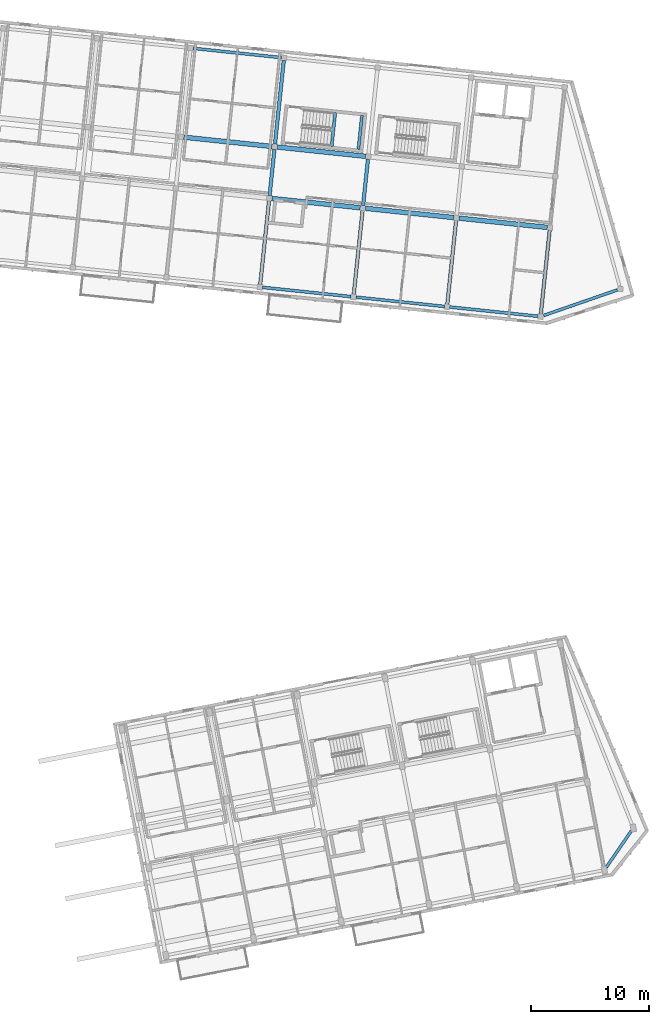
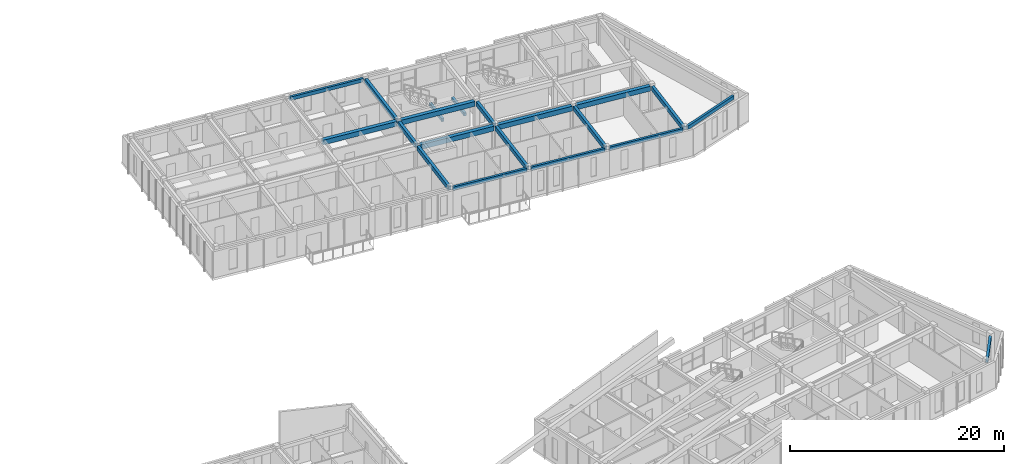
# One storey, part 13 of 64: 20 beams.
"""IFC4 building model written with IfcOpenShell, lengths in metres."""

from ifc_helpers import new_model, si_unit, direction, frame, origin, origin_2d, place, context, subcontext, project, spatial, rectangle, extrude, material, material_profile, profile_set, type_object, element, save


model = new_model("IFC4")

# Units and contexts
model_context = context("Model", 3, precision=1e-05, world=origin(), true_north=direction((0.0, 1.0)))
body_context = subcontext(model_context, "Body", "Model", "MODEL_VIEW")
ifc_project = project(units=[si_unit("LENGTHUNIT", "METRE"), si_unit("AREAUNIT", "SQUARE_METRE"), si_unit("VOLUMEUNIT", "CUBIC_METRE"), si_unit("PLANEANGLEUNIT", "RADIAN"), si_unit("MASSUNIT", "GRAM", prefix="KILO")], contexts=[model_context])

# Site, building, storey
site_placement = place(None, origin())
site = spatial("IfcSite", under=ifc_project, at=site_placement, CompositionType="ELEMENT")
building_placement = place(site_placement, origin())
building = spatial("IfcBuilding", under=site, at=building_placement, Name="Kestramere Prow Commons", CompositionType="ELEMENT")
storey_placement = place(building_placement, frame((0.0, 0.0, 24.64990234375)))
storey = spatial("IfcBuildingStorey", under=building, at=storey_placement, Name="L07", CompositionType="ELEMENT", Elevation=24.64990234375)

# Beams
ifc_material_1 = material(Name="Precast concrete C40/50", Category="concrete")
ifc_material_profile_1 = material_profile(ifc_material_1, rectangle(XDim=0.39990234375, YDim=0.550048828125, at=origin_2d()), Name="PC-BM 400x550")
ifc_profile_set_1 = profile_set([ifc_material_profile_1], Name="Precast concrete C40/50")
beam_type_1 = type_object("IfcBeamType", Name="BM-B1 PC-BM 400x550", PredefinedType="BEAM", material=ifc_profile_set_1)
beam_1_placement = place(storey_placement, frame((134.88671875, 99.826171875, 2.72509765625), z_axis=(0.994520149735, -0.104545070528, 0.0), x_axis=(0.104545070528, 0.994520149735, 0.0)))
element("IfcBeam", 1, at=beam_1_placement, inside=storey, type_object=beam_type_1, Name="Block B L07 Longitudinal Beam 2-4", PredefinedType="BEAM", context=body_context, shape_type="SweptSolid", body=[
    extrude(rectangle(XDim=0.39990234375, YDim=0.550048828125, at=origin_2d()), origin(), (0.0, 0.0, 1.0), 7.5498046875),
])
beam_2_placement = place(storey_placement, frame((142.8427734375, 98.989990234375, 2.72509765625), z_axis=(0.994520503149, -0.104541708502, 0.0), x_axis=(0.104541708502, 0.994520503149, 0.0)))
element("IfcBeam", 2, at=beam_2_placement, inside=storey, type_object=beam_type_1, Name="Block B L07 Longitudinal Beam 2-5", PredefinedType="BEAM", context=body_context, shape_type="SweptSolid", body=[
    extrude(rectangle(XDim=0.39990234375, YDim=0.550048828125, at=origin_2d()), origin(), (0.0, 0.0, 1.0), 7.550048828125),
])
beam_3_placement = place(storey_placement, frame((150.799072265625, 98.15380859375, 2.72509765625), z_axis=(0.994520149735, -0.104545070528, 0.0), x_axis=(0.104545070528, 0.994520149735, 0.0)))
element("IfcBeam", 3, at=beam_3_placement, inside=storey, type_object=beam_type_1, Name="Block B L07 Longitudinal Beam 2-6", PredefinedType="BEAM", context=body_context, shape_type="SweptSolid", body=[
    extrude(rectangle(XDim=0.39990234375, YDim=0.550048828125, at=origin_2d()), origin(), (0.0, 0.0, 1.0), 7.5498046875),
])
beam_4_placement = place(storey_placement, frame((127.390380859375, 105.038330078125, 2.72509765625), z_axis=(0.994520503149, -0.104541708502, 0.0), x_axis=(0.104541708502, 0.994520503149, 0.0)))
element("IfcBeam", 4, at=beam_4_placement, inside=storey, type_object=beam_type_1, Name="Block B L07 Longitudinal Beam 3-3", PredefinedType="BEAM", context=body_context, shape_type="SweptSolid", body=[
    extrude(rectangle(XDim=0.39990234375, YDim=0.550048828125, at=origin_2d()), origin(), (0.0, 0.0, 1.0), 7.550048828125),
])
beam_5_placement = place(storey_placement, frame((135.3466796875, 104.2021484375, 2.72509765625), z_axis=(0.994520149735, -0.104545070528, 0.0), x_axis=(0.104545070528, 0.994520149735, 0.0)))
element("IfcBeam", 5, at=beam_5_placement, inside=storey, type_object=beam_type_1, Name="Block B L07 Longitudinal Beam 3-4", PredefinedType="BEAM", context=body_context, shape_type="SweptSolid", body=[
    extrude(rectangle(XDim=0.39990234375, YDim=0.550048828125, at=origin_2d()), origin(), (0.0, 0.0, 1.0), 7.5498046875),
])
ifc_material_2 = material(Name="Concrete C40/50", Category="concrete")
ifc_material_profile_2 = material_profile(ifc_material_2, rectangle(XDim=0.25, YDim=0.35009765625, at=origin_2d()), Name="PC-BM 250x350")
ifc_profile_set_2 = profile_set([ifc_material_profile_2], Name="Concrete C40/50")
beam_type_2 = type_object("IfcBeamType", Name="BM-ST-TRIM", PredefinedType="BEAM", material=ifc_profile_set_2)
for number, where, z_axis, x_axis, name in (
    (6, (139.971923828125, 104.248779296875, 1.25), (0.104495697268, 0.994525338668, 0.0), (-0.994525338668, 0.104495697268, 0.0), "ST-B1 L07 Landing Trimmer Beam 1A"),
    (7, (142.2392578125, 104.010498046875, 1.25), (0.104579248847, 0.994516556278, 0.0), (-0.994516556278, 0.104579248847, 0.0), "ST-B1 L07 Landing Trimmer Beam 1B"),
):
    element("IfcBeam", number, at=place(storey_placement, frame(where, z_axis=z_axis, x_axis=x_axis)), inside=storey, type_object=beam_type_2, Name=name, PredefinedType="BEAM", context=body_context, shape_type="SweptSolid", body=[
        extrude(rectangle(XDim=0.25, YDim=0.35009765625, at=origin_2d()), origin(), (0.0, 0.0, 1.0), 2.89013671875),
    ])
ifc_material_profile_3 = material_profile(ifc_material_1, rectangle(XDim=0.300048828125, YDim=0.5, at=origin_2d()), Name="PC-BM 300x500")
ifc_profile_set_3 = profile_set([ifc_material_profile_3], Name="Precast concrete C40/50")
beam_type_3 = type_object("IfcBeamType", Name="BM-TIE-01 PC-BM 300x500", PredefinedType="BEAM", material=ifc_profile_set_3)
beam_6_placement = place(storey_placement, frame((133.89208984375, 92.51513671875, 2.75), z_axis=(0.104519481265, 0.994522839374, 0.0), x_axis=(-0.994522839374, 0.104519481265, 0.0)))
element("IfcBeam", 8, at=beam_6_placement, inside=storey, type_object=beam_type_3, Name="Block B L07 Transverse Beam 4-1", PredefinedType="BEAM", context=body_context, shape_type="SweptSolid", body=[
    extrude(rectangle(XDim=0.300048828125, YDim=0.5, at=origin_2d()), origin(), (0.0, 0.0, 1.0), 7.14990234375),
])
beam_7_placement = place(storey_placement, frame((134.6865234375, 100.073486328125, 2.75), z_axis=(0.104520690275, 0.994522712312, 0.0), x_axis=(-0.994522712312, 0.104520690275, 0.0)))
element("IfcBeam", 9, at=beam_7_placement, inside=storey, type_object=beam_type_3, Name="Block B L07 Transverse Beam 4-2", PredefinedType="BEAM", context=body_context, shape_type="SweptSolid", body=[
    extrude(rectangle(XDim=0.300048828125, YDim=0.5, at=origin_2d()), origin(), (0.0, 0.0, 1.0), 3.949951171875),
])
beam_8_placement = place(storey_placement, frame((135.146484375, 104.449462890625, 2.75), z_axis=(0.104523030711, 0.994522466338, 0.0), x_axis=(-0.994522466338, 0.104523030711, 0.0)))
element("IfcBeam", 10, at=beam_8_placement, inside=storey, type_object=beam_type_3, Name="Block B L07 Transverse Beam 4-3", PredefinedType="BEAM", context=body_context, shape_type="SweptSolid", body=[
    extrude(rectangle(XDim=0.300048828125, YDim=0.5, at=origin_2d()), origin(), (0.0, 0.0, 1.0), 7.149658203125),
])
beam_9_placement = place(storey_placement, frame((141.84814453125, 91.678955078125, 2.75), z_axis=(0.104553253602, 0.994519289487, 0.0), x_axis=(-0.994519289487, 0.104553253602, 0.0)))
element("IfcBeam", 11, at=beam_9_placement, inside=storey, type_object=beam_type_3, Name="Block B L07 Transverse Beam 5-1", PredefinedType="BEAM", context=body_context, shape_type="SweptSolid", body=[
    extrude(rectangle(XDim=0.300048828125, YDim=0.5, at=origin_2d()), origin(), (0.0, 0.0, 1.0), 7.150146484375),
])
beam_10_placement = place(storey_placement, frame((142.642578125, 99.2373046875, 2.75), z_axis=(0.104520690275, 0.994522712312, 0.0), x_axis=(-0.994522712312, 0.104520690275, 0.0)))
element("IfcBeam", 12, at=beam_10_placement, inside=storey, type_object=beam_type_3, Name="Block B L07 Transverse Beam 5-2", PredefinedType="BEAM", context=body_context, shape_type="SweptSolid", body=[
    extrude(rectangle(XDim=0.300048828125, YDim=0.5, at=origin_2d()), origin(), (0.0, 0.0, 1.0), 3.949951171875),
])
beam_11_placement = place(storey_placement, frame((149.804443359375, 90.842529296875, 2.75), z_axis=(0.104519481265, 0.994522839374, 0.0), x_axis=(-0.994522839374, 0.104519481265, 0.0)))
element("IfcBeam", 13, at=beam_11_placement, inside=storey, type_object=beam_type_3, Name="Block B L07 Transverse Beam 6-1", PredefinedType="BEAM", context=body_context, shape_type="SweptSolid", body=[
    extrude(rectangle(XDim=0.300048828125, YDim=0.5, at=origin_2d()), origin(), (0.0, 0.0, 1.0), 7.14990234375),
])
beam_12_placement = place(storey_placement, frame((157.760498046875, 90.00634765625, 2.75), z_axis=(0.104553253602, 0.994519289487, 0.0), x_axis=(-0.994519289487, 0.104553253602, 0.0)))
element("IfcBeam", 14, at=beam_12_placement, inside=storey, type_object=beam_type_3, Name="Block B L07 Transverse Beam 7-1", PredefinedType="BEAM", context=body_context, shape_type="SweptSolid", body=[
    extrude(rectangle(XDim=0.300048828125, YDim=0.5, at=origin_2d()), origin(), (0.0, 0.0, 1.0), 7.150146484375),
])
ifc_material_profile_4 = material_profile(ifc_material_1, rectangle(XDim=0.25, YDim=0.39990234375, at=origin_2d()), Name="PC-SP 250x400")
ifc_profile_set_4 = profile_set([ifc_material_profile_4], Name="Precast concrete C40/50")
beam_type_4 = type_object("IfcBeamType", Name="SP-EXT-01 PC-SP 250x400", PredefinedType="SPANDREL", material=ifc_profile_set_4)
beam_13_placement = place(storey_placement, frame((158.00146484375, 89.87451171875, 2.800048828125), z_axis=(0.944739829863, 0.327821069901, 0.0), x_axis=(-0.327821069901, 0.944739829863, 0.0)))
element("IfcBeam", 15, at=beam_13_placement, inside=storey, type_object=beam_type_4, Name="Block B L07 Prow Facet Beam S", PredefinedType="SPANDREL", context=body_context, shape_type="SweptSolid", body=[
    extrude(rectangle(XDim=0.25, YDim=0.39990234375, at=origin_2d()), origin(), (0.0, 0.0, 1.0), 6.619873046875),
])
for number, where, z_axis, x_axis, name in (
    (16, (134.09228515625, 92.267822265625, 2.800048828125), (0.994520149735, -0.104545070528, 0.0), (0.104545070528, 0.994520149735, 0.0), "Block B L07 Longitudinal Beam 1-4"),
    (17, (142.048583984375, 91.431640625, 2.800048828125), (0.994520149735, -0.104545070528, 0.0), (0.104545070528, 0.994520149735, 0.0), "Block B L07 Longitudinal Beam 1-5"),
    (18, (150.004638671875, 90.595458984375, 2.800048828125), (0.994520149735, -0.104545070528, 0.0), (0.104545070528, 0.994520149735, 0.0), "Block B L07 Longitudinal Beam 1-6"),
):
    element("IfcBeam", number, at=place(storey_placement, frame(where, z_axis=z_axis, x_axis=x_axis)), inside=storey, type_object=beam_type_4, Name=name, PredefinedType="SPANDREL", context=body_context, shape_type="SweptSolid", body=[
        extrude(rectangle(XDim=0.25, YDim=0.39990234375, at=origin_2d()), origin(), (0.0, 0.0, 1.0), 7.5498046875),
    ])
beam_14_placement = place(storey_placement, frame((128.184814453125, 112.5966796875, 2.800048828125), z_axis=(0.994520503149, -0.104541708502, 0.0), x_axis=(0.104541708502, 0.994520503149, 0.0)))
element("IfcBeam", 19, at=beam_14_placement, inside=storey, type_object=beam_type_4, Name="Block B L07 Longitudinal Beam 4-3", PredefinedType="SPANDREL", context=body_context, shape_type="SweptSolid", body=[
    extrude(rectangle(XDim=0.25, YDim=0.39990234375, at=origin_2d()), origin(), (0.0, 0.0, 1.0), 7.550048828125),
])
beam_15_placement = place(storey_placement, frame((163.320556640625, 42.931640625, 2.800048828125), z_axis=(0.565935255914, 0.824449686829, 0.0), x_axis=(-0.824449686829, 0.565935255914, 0.0)))
element("IfcBeam", 20, at=beam_15_placement, inside=storey, type_object=beam_type_4, Name="Block D L07 Prow Facet Beam S", PredefinedType="SPANDREL", context=body_context, shape_type="SweptSolid", body=[
    extrude(rectangle(XDim=0.25, YDim=0.39990234375, at=origin_2d()), origin(), (0.0, 0.0, 1.0), 3.788818359375),
])

save(model, "model.ifc")
